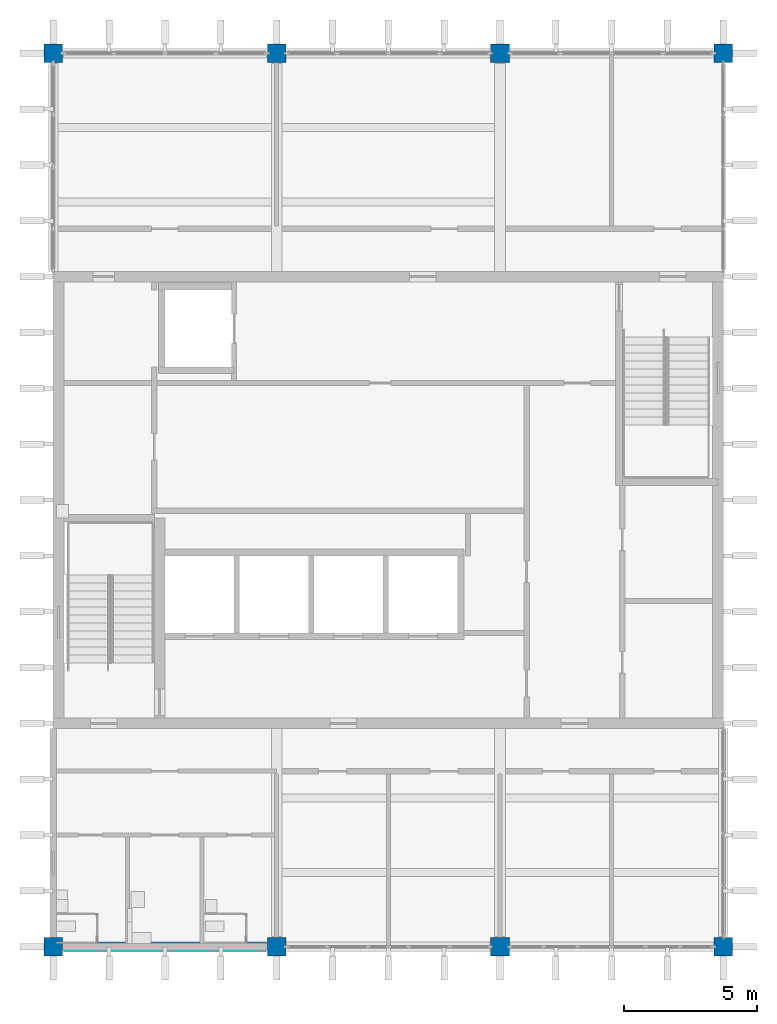
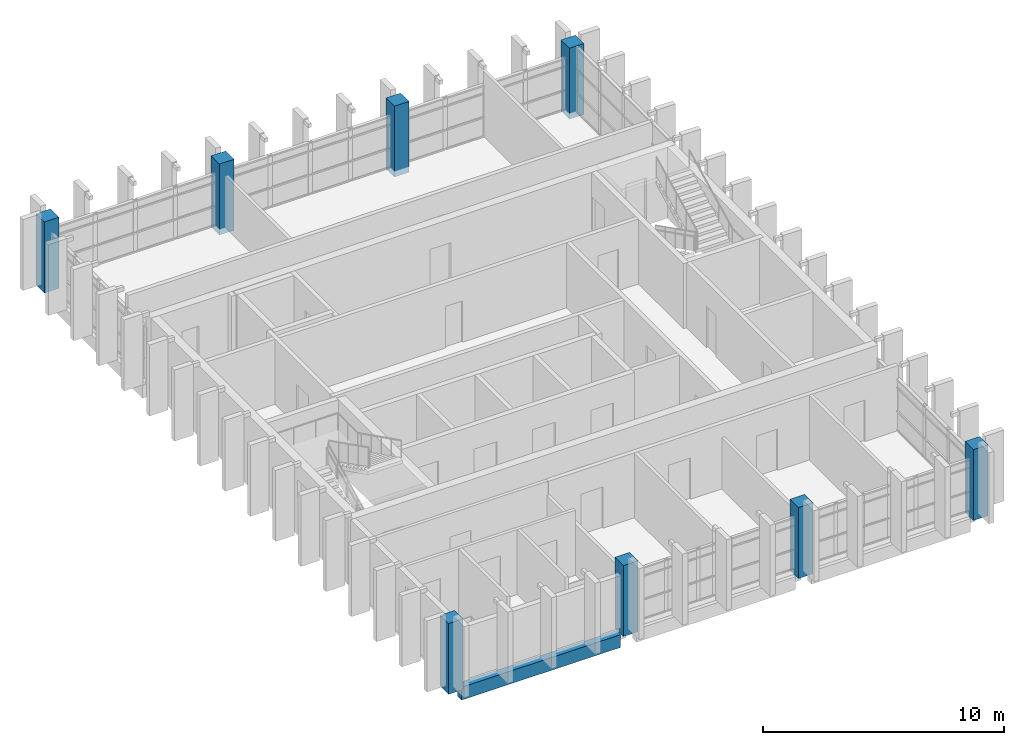
# One storey, part 1 of 11: 8 columns, 1 beam.
"""IFC4 building model written with IfcOpenShell, lengths in metres."""

from ifc_helpers import new_model, si_unit, direction, frame, origin, origin_2d, place, context, subcontext, project, spatial, rectangle, extrude, material, material_profile, profile_set, type_object, element, save


model = new_model("IFC4")

# Units and contexts
model_context = context("Model", 3, precision=1e-05, world=origin(), true_north=direction((0.0, 1.0)))
body_context = subcontext(model_context, "Body", "Model", "MODEL_VIEW")
ifc_project = project(units=[si_unit("LENGTHUNIT", "METRE"), si_unit("AREAUNIT", "SQUARE_METRE"), si_unit("VOLUMEUNIT", "CUBIC_METRE"), si_unit("PLANEANGLEUNIT", "RADIAN"), si_unit("MASSUNIT", "GRAM", prefix="KILO")], contexts=[model_context])

# Site, building, storey
site_placement = place(None, origin())
site = spatial("IfcSite", under=ifc_project, at=site_placement, CompositionType="ELEMENT")
building_placement = place(site_placement, origin())
building = spatial("IfcBuilding", under=site, at=building_placement, Name="Rulbaag Community and Learning Centre", CompositionType="ELEMENT")
storey_placement = place(building_placement, frame((0.0, 0.0, 50.39990234375)))
storey = spatial("IfcBuildingStorey", under=building, at=storey_placement, Name="L13", CompositionType="ELEMENT", Elevation=50.39990234375)

# Columns
ifc_material = material(Name="Concrete M40", Category="concrete")
ifc_material_profile_1 = material_profile(ifc_material, rectangle(XDim=0.699951171875, YDim=0.699951171875, at=origin_2d()), Name="RC700x700")
ifc_profile_set_1 = profile_set([ifc_material_profile_1], Name="Concrete M40")
column_type = type_object("IfcColumnType", Name="C5 Column 700x700 Concrete M40", PredefinedType="COLUMN", material=ifc_profile_set_1)
for number, where, z_axis, x_axis, name in (
    (1, (142.800048828125, 84.0, -0.2998046875), (0.0, 0.0, 1.0), (1.0, 0.0, 0.0), "COL-18K-L13"),
    (2, (142.800048828125, 117.60009765625, -0.2998046875), (0.0, 0.0, 1.0), (1.0, 0.0, 0.0), "COL-18O-L13"),
    (3, (151.199951171875, 84.0, -0.2998046875), (0.0, 0.0, 1.0), (1.0, 0.0, 0.0), "COL-19K-L13"),
    (4, (151.199951171875, 117.60009765625, -0.2998046875), (0.0, 0.0, 1.0), (1.0, 0.0, 0.0), "COL-19O-L13"),
    (5, (159.60009765625, 84.0, -0.2998046875), (0.0, 0.0, 1.0), (1.0, 0.0, 0.0), "COL-20K-L13"),
    (6, (159.60009765625, 117.60009765625, -0.2998046875), (0.0, 0.0, 1.0), (1.0, 0.0, 0.0), "COL-20O-L13"),
    (7, (168.0, 84.0, -0.2998046875), (0.0, 0.0, 1.0), (1.0, 0.0, 0.0), "COL-21K-L13"),
    (8, (168.0, 117.60009765625, -0.2998046875), (0.0, 0.0, 1.0), (1.0, 0.0, 0.0), "COL-21O-L13"),
):
    element("IfcColumn", number, at=place(storey_placement, frame(where, z_axis=z_axis, x_axis=x_axis)), inside=storey, type_object=column_type, Name=name, PredefinedType="COLUMN", context=body_context, shape_type="SweptSolid", body=[
        extrude(rectangle(XDim=0.699951171875, YDim=0.699951171875, at=origin_2d()), origin(), (0.0, 0.0, 1.0), 3.599853515625),
    ])

# Beam
ifc_material_profile_2 = material_profile(ifc_material, rectangle(XDim=0.35009765625, YDim=0.64990234375, at=origin_2d()), Name="RB350x650")
ifc_profile_set_2 = profile_set([ifc_material_profile_2], Name="Concrete M40")
beam_type = type_object("IfcBeamType", Name="B14 Tower edge beam, upper zone 350x650 Concrete M40", PredefinedType="BEAM", material=ifc_profile_set_2)
beam_placement = place(storey_placement, frame((143.179931640625, 84.0, -0.625), z_axis=(1.0, 0.0, 0.0), x_axis=(0.0, 1.0, 0.0)))
element("IfcBeam", 9, at=beam_placement, inside=storey, type_object=beam_type, Name="BM-L13-18K-19K", PredefinedType="BEAM", context=body_context, shape_type="SweptSolid", body=[
    extrude(rectangle(XDim=0.35009765625, YDim=0.64990234375, at=origin_2d()), origin(), (0.0, 0.0, 1.0), 7.64013671875),
])

save(model, "model.ifc")
